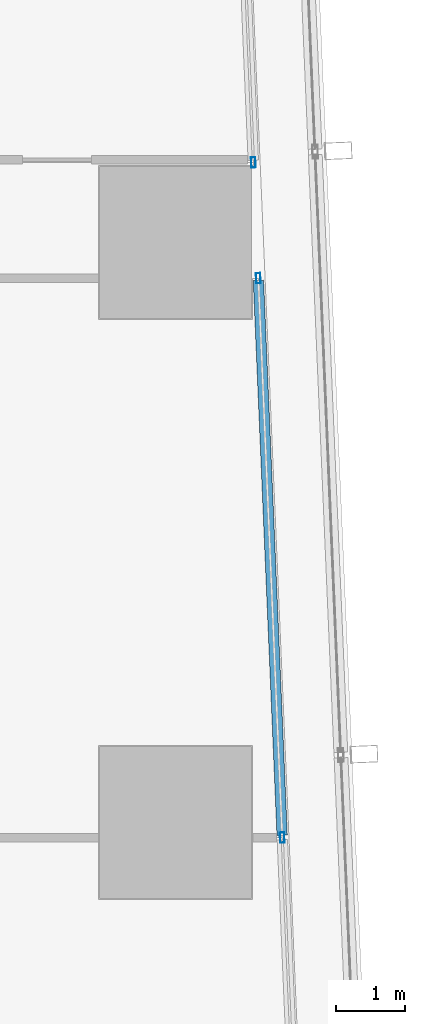
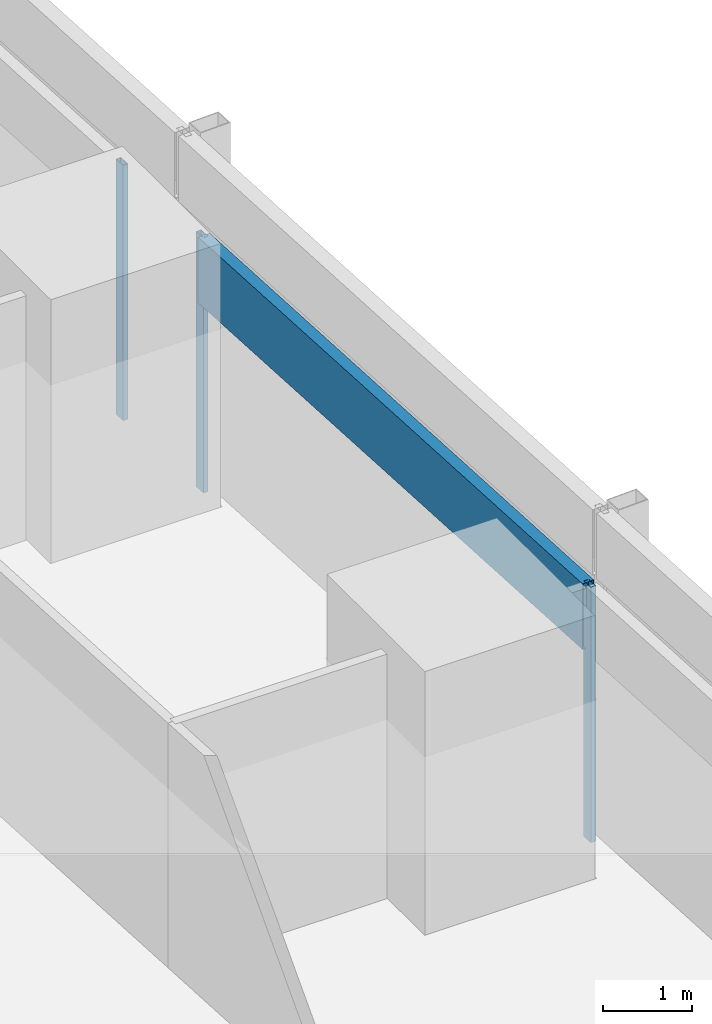
# One storey, part 20 of 44: 4 members, 2 elements without a shape of their own.
"""IFC4 building model written with IfcOpenShell, lengths in metres."""

from ifc_helpers import new_model, si_unit, direction, frame, origin, origin_2d, place, context, subcontext, project, spatial, hollow_rectangle, extrude, material, material_profile, profile_set, type_object, element, aggregate, save


model = new_model("IFC4")

# Units and contexts
model_context = context("Model", 3, precision=1e-05, world=origin(), true_north=direction((0.0, 1.0)))
body_context = subcontext(model_context, "Body", "Model", "MODEL_VIEW")
ifc_project = project(units=[si_unit("LENGTHUNIT", "METRE"), si_unit("AREAUNIT", "SQUARE_METRE"), si_unit("VOLUMEUNIT", "CUBIC_METRE"), si_unit("PLANEANGLEUNIT", "RADIAN"), si_unit("MASSUNIT", "GRAM", prefix="KILO")], contexts=[model_context])

# Site, building, storey
site_placement = place(None, origin())
site = spatial("IfcSite", under=ifc_project, at=site_placement, CompositionType="ELEMENT")
building_placement = place(site_placement, origin())
building = spatial("IfcBuilding", under=site, at=building_placement, Name="Rekha Terrace Tower", CompositionType="ELEMENT")
storey_placement = place(building_placement, frame((0.0, 0.0, 74.14990234375)))
storey = spatial("IfcBuildingStorey", under=building, at=storey_placement, Name="L18", CompositionType="ELEMENT", Elevation=74.14990234375)

# Curtain wall, members
ifc_material_1 = material(Name="Aluminium framing", Category="aluminium")
curtain_wall_type = type_object("IfcCurtainWallType", Name="CW1 double skin inner glazing", PredefinedType="USERDEFINED", material=ifc_material_1)
curtain_wall_1_placement = place(storey_placement, origin())
curtain_wall_1 = element("IfcCurtainWall", 1, at=curtain_wall_1_placement, inside=storey, type_object=curtain_wall_type, Name="CW1 double skin inner glazing", ObjectType="DOUBLE SKIN INNER GLAZING", PredefinedType="USERDEFINED")
ifc_material_2 = material(Name="Aluminium mullion section", Category="aluminium")
ifc_material_profile_1 = material_profile(ifc_material_2, hollow_rectangle(XDim=0.06494140625, YDim=0.14990234375, WallThickness=0.00390625, at=origin_2d()), Name="AL RHS 65x150")
ifc_profile_set_1 = profile_set([ifc_material_profile_1], Name="Aluminium mullion section")
member_type_1 = type_object("IfcMemberType", Name="CW1 mullion RHS 65 x 150", PredefinedType="MULLION", material=ifc_profile_set_1)
member_1_placement = place(storey_placement, frame((68.7431640625, 41.781494140625, 0.0), z_axis=(0.0, 0.0, 1.0), x_axis=(-0.999088106904, -0.042696072921, 0.0)))
member_1 = element("IfcMember", 2, at=member_1_placement, type_object=member_type_1, Name="CW1 mullion 3", PredefinedType="MULLION", context=body_context, shape_type="SweptSolid", body=[
    extrude(hollow_rectangle(XDim=0.06494140625, YDim=0.14990234375, WallThickness=0.00390625, at=origin_2d()), origin(), (0.0, 0.0, 1.0), 3.5),
])
member_2_placement = place(storey_placement, frame((68.397216796875, 49.8798828125, 0.0), z_axis=(0.0, 0.0, 1.0), x_axis=(-0.999088106904, -0.042696072921, 0.0)))
member_2 = element("IfcMember", 3, at=member_2_placement, type_object=member_type_1, Name="CW1 mullion 4", PredefinedType="MULLION", context=body_context, shape_type="SweptSolid", body=[
    extrude(hollow_rectangle(XDim=0.06494140625, YDim=0.14990234375, WallThickness=0.00390625, at=origin_2d()), origin(), (0.0, 0.0, 1.0), 3.5),
])

# Curtain wall, member
curtain_wall_2_placement = place(storey_placement, origin())
curtain_wall_2 = element("IfcCurtainWall", 4, at=curtain_wall_2_placement, inside=storey, type_object=curtain_wall_type, Name="CW1 double skin inner glazing", ObjectType="DOUBLE SKIN INNER GLAZING", PredefinedType="USERDEFINED")
member_3_placement = place(storey_placement, frame((68.325439453125, 51.556396484375, 0.0), z_axis=(0.0, 0.0, 1.0), x_axis=(-0.9990881069, -0.042696073026, 0.0)))
member_3 = element("IfcMember", 5, at=member_3_placement, type_object=member_type_1, Name="CW1 mullion 1", PredefinedType="MULLION", context=body_context, shape_type="SweptSolid", body=[
    extrude(hollow_rectangle(XDim=0.06494140625, YDim=0.14990234375, WallThickness=0.00390625, at=origin_2d()), origin(), (0.0, 0.0, 1.0), 3.5),
])
aggregate(curtain_wall_2, [member_3])

# Member
ifc_material_3 = material(Name="Insulated aluminium spandrel box", Category="aluminium")
ifc_material_profile_2 = material_profile(ifc_material_3, hollow_rectangle(XDim=0.14990234375, YDim=0.89990234375, WallThickness=0.0029296875, at=origin_2d()), Name="AL SPANDREL BOX 150x900")
ifc_profile_set_2 = profile_set([ifc_material_profile_2], Name="Insulated aluminium spandrel box")
member_type_2 = type_object("IfcMemberType", Name="CW1 spandrel transom 150 x 900", PredefinedType="USERDEFINED", material=ifc_profile_set_2)
member_4_placement = place(storey_placement, frame((68.741943359375, 41.81396484375, 3.050048828125), z_axis=(-0.042720422486, 0.999087066027, 0.0), x_axis=(-0.999087066027, -0.042720422486, 0.0)))
member_4 = element("IfcMember", 6, at=member_4_placement, type_object=member_type_2, Name="CW1 spandrel transom 3", ObjectType="TRANSOM", PredefinedType="USERDEFINED", context=body_context, shape_type="SweptSolid", body=[
    extrude(hollow_rectangle(XDim=0.14990234375, YDim=0.89990234375, WallThickness=0.0029296875, at=origin_2d()), origin(), (0.0, 0.0, 1.0), 8.040771484375),
])

aggregate(curtain_wall_1, [member_1, member_2, member_4])

save(model, "model.ifc")
